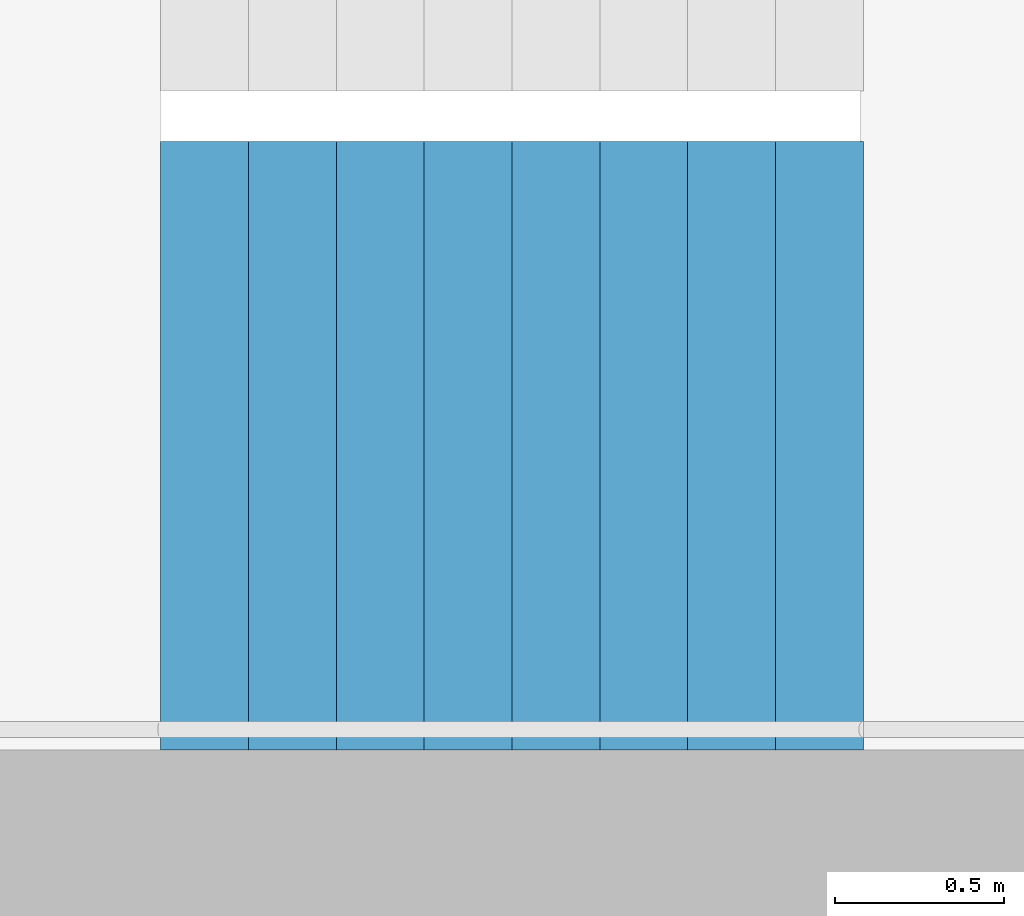
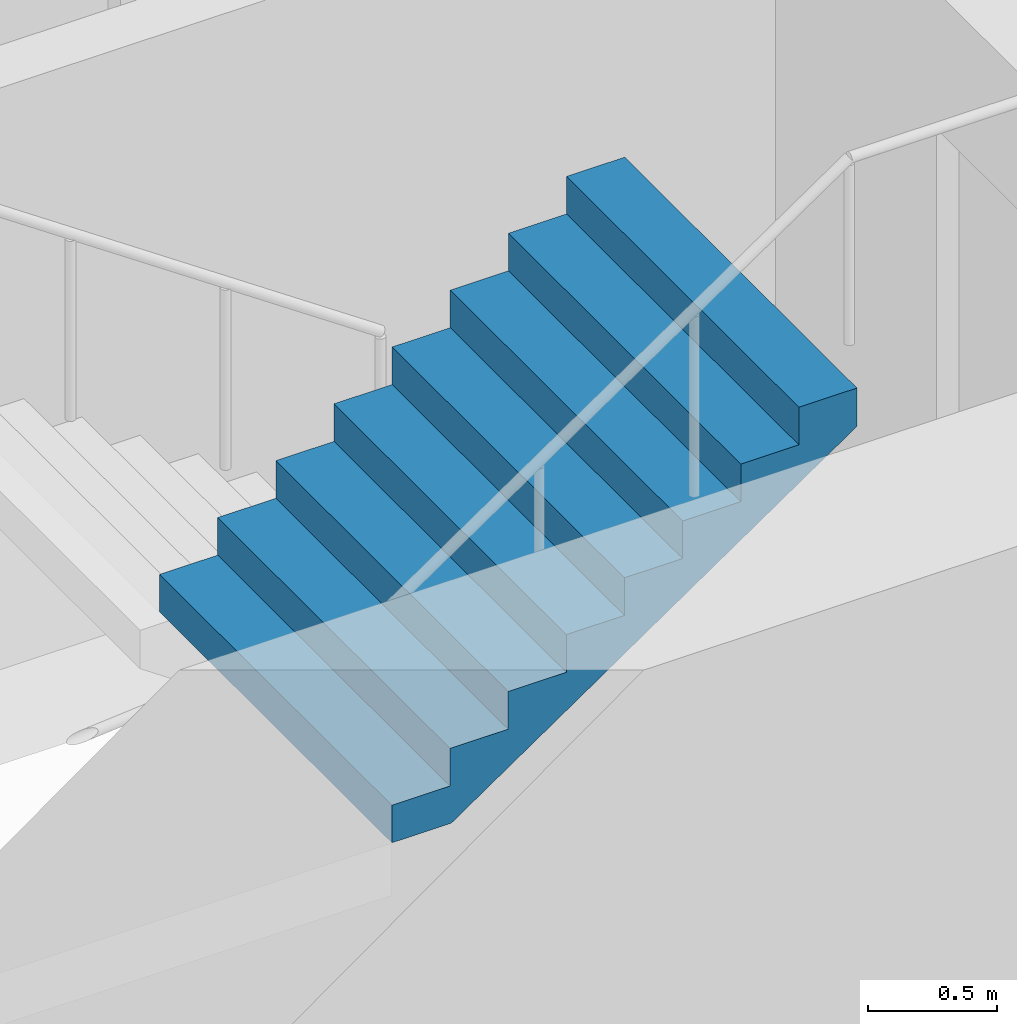
# One storey, part 19 of 27: 1 stair flight, 1 element without a shape of its own.
"""IFC4 building model written with IfcOpenShell, lengths in metres."""

from ifc_helpers import new_model, si_unit, direction, frame, origin, place, context, subcontext, project, spatial, triangles, material, type_object, element, aggregate, save


model = new_model("IFC4")

# Units and contexts
model_context = context("Model", 3, precision=1e-05, world=origin(), true_north=direction((0.0, 1.0)))
body_context = subcontext(model_context, "Body", "Model", "MODEL_VIEW")
ifc_project = project(units=[si_unit("LENGTHUNIT", "METRE"), si_unit("AREAUNIT", "SQUARE_METRE"), si_unit("VOLUMEUNIT", "CUBIC_METRE"), si_unit("PLANEANGLEUNIT", "RADIAN"), si_unit("MASSUNIT", "GRAM", prefix="KILO")], contexts=[model_context])

# Site, building, storey
site_placement = place(None, origin())
site = spatial("IfcSite", under=ifc_project, at=site_placement, CompositionType="ELEMENT")
building_placement = place(site_placement, origin())
building = spatial("IfcBuilding", under=site, at=building_placement, Name="Hakoniwa Tower and Hamabe Station Hall", CompositionType="ELEMENT")
storey_placement = place(building_placement, frame((0.0, 0.0, 248.60009765625)))
storey = spatial("IfcBuildingStorey", under=building, at=storey_placement, Name="L70", CompositionType="ELEMENT", Elevation=248.60009765625)

# Stair, stair flight
ifc_material_1 = material(Name="Concrete C40", Category="concrete")
stair_type = type_object("IfcStairType", Name="ESCAPE STAIR 1800", PredefinedType="HALF_TURN_STAIR", material=ifc_material_1)
stair_placement = place(storey_placement, origin())
stair = element("IfcStair", 1, at=stair_placement, inside=storey, type_object=stair_type, Name="Escape stair ST-2 L70", PredefinedType="HALF_TURN_STAIR")
ifc_material_2 = material(Name="Concrete C40", Category="concrete")
stair_flight_type = type_object("IfcStairFlightType", Name="STAIR FLIGHT 1800", PredefinedType="STRAIGHT", material=ifc_material_2)
stair_flight_placement = place(storey_placement, frame((-25.47998046875, -6.60009765625, 1.599853515625), z_axis=(0.0, 0.0, 1.0), x_axis=(1.0, 0.0, 0.0)))
stair_flight = element("IfcStairFlight", 2, at=stair_flight_placement, type_object=stair_flight_type, Name="ST-2 flight 2", NumberOfRisers=9, NumberOfTreads=8, PredefinedType="STRAIGHT", RiserHeight=0.177777778, TreadLength=0.26, context=body_context, shape_type="Tessellation", body=[
    triangles([(0.0, 0.89990234375, 0.0), (0.260009765625, 0.89990234375, 0.0), (0.265625, 0.89990234375, 0.0), (0.52001953125, 0.89990234375, 0.174072265625), (0.780029296875, 0.89990234375, 0.351806640625), (1.0400390625, 0.89990234375, 0.529541015625), (1.300048828125, 0.89990234375, 0.707275390625), (1.56005859375, 0.89990234375, 0.885009765625), (1.820068359375, 0.89990234375, 1.062744140625), (2.080078125, 0.89990234375, 1.24072265625), (2.080078125, 0.89990234375, 1.422119140625), (1.820068359375, 0.89990234375, 1.422119140625), (1.820068359375, 0.89990234375, 1.244384765625), (1.56005859375, 0.89990234375, 1.244384765625), (1.56005859375, 0.89990234375, 1.066650390625), (1.300048828125, 0.89990234375, 1.066650390625), (1.300048828125, 0.89990234375, 0.888916015625), (1.0400390625, 0.89990234375, 0.888916015625), (1.0400390625, 0.89990234375, 0.711181640625), (0.780029296875, 0.89990234375, 0.711181640625), (0.780029296875, 0.89990234375, 0.533447265625), (0.52001953125, 0.89990234375, 0.533447265625), (0.52001953125, 0.89990234375, 0.35546875), (0.265625, 0.89990234375, 0.35546875), (0.260009765625, 0.89990234375, 0.35546875), (0.260009765625, 0.89990234375, 0.177734375), (0.0, 0.89990234375, 0.177734375), (0.0, 0.06005859375, 0.0), (0.260009765625, 0.06005859375, 0.0), (0.265625, 0.06005859375, 0.0), (0.52001953125, 0.06005859375, 0.174072265625), (0.780029296875, 0.06005859375, 0.351806640625), (1.0400390625, 0.06005859375, 0.529541015625), (1.300048828125, 0.06005859375, 0.707275390625), (1.56005859375, 0.06005859375, 0.885009765625), (1.820068359375, 0.06005859375, 1.062744140625), (2.080078125, 0.06005859375, 1.24072265625), (2.080078125, 0.06005859375, 1.422119140625), (1.820068359375, 0.06005859375, 1.422119140625), (1.820068359375, 0.06005859375, 1.244384765625), (1.56005859375, 0.06005859375, 1.244384765625), (1.56005859375, 0.06005859375, 1.066650390625), (1.300048828125, 0.06005859375, 1.066650390625), (1.300048828125, 0.06005859375, 0.888916015625), (1.0400390625, 0.06005859375, 0.888916015625), (1.0400390625, 0.06005859375, 0.711181640625), (0.780029296875, 0.06005859375, 0.711181640625), (0.780029296875, 0.06005859375, 0.533447265625), (0.52001953125, 0.06005859375, 0.533447265625), (0.52001953125, 0.06005859375, 0.35546875), (0.265625, 0.06005859375, 0.35546875), (0.260009765625, 0.06005859375, 0.35546875), (0.260009765625, 0.06005859375, 0.177734375), (0.0, 0.06005859375, 0.177734375), (0.0, 0.04296875, 0.0), (0.260009765625, 0.04296875, 0.0), (0.265625, 0.04296875, 0.0), (0.52001953125, 0.04296875, 0.174072265625), (0.780029296875, 0.04296875, 0.351806640625), (1.0400390625, 0.04296875, 0.529541015625), (1.300048828125, 0.04296875, 0.707275390625), (1.56005859375, 0.04296875, 0.885009765625), (1.820068359375, 0.04296875, 1.062744140625), (2.080078125, 0.04296875, 1.24072265625), (2.080078125, 0.04296875, 1.422119140625), (1.820068359375, 0.04296875, 1.422119140625), (1.820068359375, 0.04296875, 1.244384765625), (1.56005859375, 0.04296875, 1.244384765625), (1.56005859375, 0.04296875, 1.066650390625), (1.300048828125, 0.04296875, 1.066650390625), (1.300048828125, 0.04296875, 0.888916015625), (1.0400390625, 0.04296875, 0.888916015625), (1.0400390625, 0.04296875, 0.711181640625), (0.780029296875, 0.04296875, 0.711181640625), (0.780029296875, 0.04296875, 0.533447265625), (0.52001953125, 0.04296875, 0.533447265625), (0.52001953125, 0.04296875, 0.35546875), (0.265625, 0.04296875, 0.35546875), (0.260009765625, 0.04296875, 0.35546875), (0.260009765625, 0.04296875, 0.177734375), (0.0, 0.04296875, 0.177734375), (0.0, 0.025634765625, 0.0), (0.260009765625, 0.025634765625, 0.0), (0.265625, 0.025634765625, 0.0), (0.52001953125, 0.025634765625, 0.174072265625), (0.780029296875, 0.025634765625, 0.351806640625), (1.0400390625, 0.025634765625, 0.529541015625), (1.300048828125, 0.025634765625, 0.707275390625), (1.56005859375, 0.025634765625, 0.885009765625), (1.820068359375, 0.025634765625, 1.062744140625), (2.080078125, 0.025634765625, 1.24072265625), (2.080078125, 0.025634765625, 1.422119140625), (1.820068359375, 0.025634765625, 1.422119140625), (1.820068359375, 0.025634765625, 1.244384765625), (1.56005859375, 0.025634765625, 1.244384765625), (1.56005859375, 0.025634765625, 1.066650390625), (1.300048828125, 0.025634765625, 1.066650390625), (1.300048828125, 0.025634765625, 0.888916015625), (1.0400390625, 0.025634765625, 0.888916015625), (1.0400390625, 0.025634765625, 0.711181640625), (0.780029296875, 0.025634765625, 0.711181640625), (0.780029296875, 0.025634765625, 0.533447265625), (0.52001953125, 0.025634765625, 0.533447265625), (0.52001953125, 0.025634765625, 0.35546875), (0.265625, 0.025634765625, 0.35546875), (0.260009765625, 0.025634765625, 0.35546875), (0.260009765625, 0.025634765625, 0.177734375), (0.0, 0.025634765625, 0.177734375), (0.0, 0.008544921875, 0.0), (0.260009765625, 0.008544921875, 0.0), (0.265625, 0.008544921875, 0.0), (0.52001953125, 0.008544921875, 0.174072265625), (0.780029296875, 0.008544921875, 0.351806640625), (1.0400390625, 0.008544921875, 0.529541015625), (1.300048828125, 0.008544921875, 0.707275390625), (1.56005859375, 0.008544921875, 0.885009765625), (1.820068359375, 0.008544921875, 1.062744140625), (2.080078125, 0.008544921875, 1.24072265625), (2.080078125, 0.008544921875, 1.422119140625), (1.820068359375, 0.008544921875, 1.422119140625), (1.820068359375, 0.008544921875, 1.244384765625), (1.56005859375, 0.008544921875, 1.244384765625), (1.56005859375, 0.008544921875, 1.066650390625), (1.300048828125, 0.008544921875, 1.066650390625), (1.300048828125, 0.008544921875, 0.888916015625), (1.0400390625, 0.008544921875, 0.888916015625), (1.0400390625, 0.008544921875, 0.711181640625), (0.780029296875, 0.008544921875, 0.711181640625), (0.780029296875, 0.008544921875, 0.533447265625), (0.52001953125, 0.008544921875, 0.533447265625), (0.52001953125, 0.008544921875, 0.35546875), (0.265625, 0.008544921875, 0.35546875), (0.260009765625, 0.008544921875, 0.35546875), (0.260009765625, 0.008544921875, 0.177734375), (0.0, 0.008544921875, 0.177734375), (0.0, -0.008544921875, 0.0), (0.260009765625, -0.008544921875, 0.0), (0.265625, -0.008544921875, 0.0), (0.52001953125, -0.008544921875, 0.174072265625), (0.780029296875, -0.008544921875, 0.351806640625), (1.0400390625, -0.008544921875, 0.529541015625), (1.300048828125, -0.008544921875, 0.707275390625), (1.56005859375, -0.008544921875, 0.885009765625), (1.820068359375, -0.008544921875, 1.062744140625), (2.080078125, -0.008544921875, 1.24072265625), (2.080078125, -0.008544921875, 1.422119140625), (1.820068359375, -0.008544921875, 1.422119140625), (1.820068359375, -0.008544921875, 1.244384765625), (1.56005859375, -0.008544921875, 1.244384765625), (1.56005859375, -0.008544921875, 1.066650390625), (1.300048828125, -0.008544921875, 1.066650390625), (1.300048828125, -0.008544921875, 0.888916015625), (1.0400390625, -0.008544921875, 0.888916015625), (1.0400390625, -0.008544921875, 0.711181640625), (0.780029296875, -0.008544921875, 0.711181640625), (0.780029296875, -0.008544921875, 0.533447265625), (0.52001953125, -0.008544921875, 0.533447265625), (0.52001953125, -0.008544921875, 0.35546875), (0.265625, -0.008544921875, 0.35546875), (0.260009765625, -0.008544921875, 0.35546875), (0.260009765625, -0.008544921875, 0.177734375), (0.0, -0.008544921875, 0.177734375), (0.0, -0.025634765625, 0.0), (0.260009765625, -0.025634765625, 0.0), (0.265625, -0.025634765625, 0.0), (0.52001953125, -0.025634765625, 0.174072265625), (0.780029296875, -0.025634765625, 0.351806640625), (1.0400390625, -0.025634765625, 0.529541015625), (1.300048828125, -0.025634765625, 0.707275390625), (1.56005859375, -0.025634765625, 0.885009765625), (1.820068359375, -0.025634765625, 1.062744140625), (2.080078125, -0.025634765625, 1.24072265625), (2.080078125, -0.025634765625, 1.422119140625), (1.820068359375, -0.025634765625, 1.422119140625), (1.820068359375, -0.025634765625, 1.244384765625), (1.56005859375, -0.025634765625, 1.244384765625), (1.56005859375, -0.025634765625, 1.066650390625), (1.300048828125, -0.025634765625, 1.066650390625), (1.300048828125, -0.025634765625, 0.888916015625), (1.0400390625, -0.025634765625, 0.888916015625), (1.0400390625, -0.025634765625, 0.711181640625), (0.780029296875, -0.025634765625, 0.711181640625), (0.780029296875, -0.025634765625, 0.533447265625), (0.52001953125, -0.025634765625, 0.533447265625), (0.52001953125, -0.025634765625, 0.35546875), (0.265625, -0.025634765625, 0.35546875), (0.260009765625, -0.025634765625, 0.35546875), (0.260009765625, -0.025634765625, 0.177734375), (0.0, -0.025634765625, 0.177734375), (0.0, -0.04296875, 0.0), (0.260009765625, -0.04296875, 0.0), (0.265625, -0.04296875, 0.0), (0.52001953125, -0.04296875, 0.174072265625), (0.780029296875, -0.04296875, 0.351806640625), (1.0400390625, -0.04296875, 0.529541015625), (1.300048828125, -0.04296875, 0.707275390625), (1.56005859375, -0.04296875, 0.885009765625), (1.820068359375, -0.04296875, 1.062744140625), (2.080078125, -0.04296875, 1.24072265625), (2.080078125, -0.04296875, 1.422119140625), (1.820068359375, -0.04296875, 1.422119140625), (1.820068359375, -0.04296875, 1.244384765625), (1.56005859375, -0.04296875, 1.244384765625), (1.56005859375, -0.04296875, 1.066650390625), (1.300048828125, -0.04296875, 1.066650390625), (1.300048828125, -0.04296875, 0.888916015625), (1.0400390625, -0.04296875, 0.888916015625), (1.0400390625, -0.04296875, 0.711181640625), (0.780029296875, -0.04296875, 0.711181640625), (0.780029296875, -0.04296875, 0.533447265625), (0.52001953125, -0.04296875, 0.533447265625), (0.52001953125, -0.04296875, 0.35546875), (0.265625, -0.04296875, 0.35546875), (0.260009765625, -0.04296875, 0.35546875), (0.260009765625, -0.04296875, 0.177734375), (0.0, -0.04296875, 0.177734375), (0.0, -0.06005859375, 0.0), (0.260009765625, -0.06005859375, 0.0), (0.265625, -0.06005859375, 0.0), (0.52001953125, -0.06005859375, 0.174072265625), (0.780029296875, -0.06005859375, 0.351806640625), (1.0400390625, -0.06005859375, 0.529541015625), (1.300048828125, -0.06005859375, 0.707275390625), (1.56005859375, -0.06005859375, 0.885009765625), (1.820068359375, -0.06005859375, 1.062744140625), (2.080078125, -0.06005859375, 1.24072265625), (2.080078125, -0.06005859375, 1.422119140625), (1.820068359375, -0.06005859375, 1.422119140625), (1.820068359375, -0.06005859375, 1.244384765625), (1.56005859375, -0.06005859375, 1.244384765625), (1.56005859375, -0.06005859375, 1.066650390625), (1.300048828125, -0.06005859375, 1.066650390625), (1.300048828125, -0.06005859375, 0.888916015625), (1.0400390625, -0.06005859375, 0.888916015625), (1.0400390625, -0.06005859375, 0.711181640625), (0.780029296875, -0.06005859375, 0.711181640625), (0.780029296875, -0.06005859375, 0.533447265625), (0.52001953125, -0.06005859375, 0.533447265625), (0.52001953125, -0.06005859375, 0.35546875), (0.265625, -0.06005859375, 0.35546875), (0.260009765625, -0.06005859375, 0.35546875), (0.260009765625, -0.06005859375, 0.177734375), (0.0, -0.06005859375, 0.177734375), (0.0, -0.89990234375, 0.0), (0.260009765625, -0.89990234375, 0.0), (0.265625, -0.89990234375, 0.0), (0.52001953125, -0.89990234375, 0.174072265625), (0.780029296875, -0.89990234375, 0.351806640625), (1.0400390625, -0.89990234375, 0.529541015625), (1.300048828125, -0.89990234375, 0.707275390625), (1.56005859375, -0.89990234375, 0.885009765625), (1.820068359375, -0.89990234375, 1.062744140625), (2.080078125, -0.89990234375, 1.24072265625), (2.080078125, -0.89990234375, 1.422119140625), (1.820068359375, -0.89990234375, 1.422119140625), (1.820068359375, -0.89990234375, 1.244384765625), (1.56005859375, -0.89990234375, 1.244384765625), (1.56005859375, -0.89990234375, 1.066650390625), (1.300048828125, -0.89990234375, 1.066650390625), (1.300048828125, -0.89990234375, 0.888916015625), (1.0400390625, -0.89990234375, 0.888916015625), (1.0400390625, -0.89990234375, 0.711181640625), (0.780029296875, -0.89990234375, 0.711181640625), (0.780029296875, -0.89990234375, 0.533447265625), (0.52001953125, -0.89990234375, 0.533447265625), (0.52001953125, -0.89990234375, 0.35546875), (0.265625, -0.89990234375, 0.35546875), (0.260009765625, -0.89990234375, 0.35546875), (0.260009765625, -0.89990234375, 0.177734375), (0.0, -0.89990234375, 0.177734375)], [[2, 27, 26], [245, 269, 270], [2, 1, 27], [245, 270, 244], [3, 25, 24], [246, 267, 268], [3, 26, 25], [246, 268, 269], [3, 2, 26], [246, 269, 245], [4, 24, 23], [247, 266, 267], [4, 3, 24], [247, 267, 246], [5, 22, 21], [248, 264, 265], [5, 23, 22], [248, 265, 266], [5, 4, 23], [248, 266, 247], [6, 20, 19], [249, 262, 263], [6, 21, 20], [249, 263, 264], [6, 5, 21], [249, 264, 248], [7, 18, 17], [250, 260, 261], [7, 19, 18], [250, 261, 262], [7, 6, 19], [250, 262, 249], [8, 16, 15], [251, 258, 259], [8, 17, 16], [251, 259, 260], [8, 7, 17], [251, 260, 250], [9, 14, 13], [252, 256, 257], [9, 15, 14], [252, 257, 258], [9, 8, 15], [252, 258, 251], [10, 12, 11], [253, 254, 255], [10, 13, 12], [253, 255, 256], [10, 9, 13], [253, 256, 252], [1, 2, 29], [1, 29, 28], [28, 29, 56], [28, 56, 55], [55, 56, 83], [55, 83, 82], [82, 83, 110], [82, 110, 109], [109, 110, 137], [109, 137, 136], [136, 137, 164], [136, 164, 163], [163, 164, 191], [163, 191, 190], [190, 191, 218], [190, 218, 217], [217, 218, 245], [217, 245, 244], [2, 3, 30], [2, 30, 29], [29, 30, 57], [29, 57, 56], [56, 57, 84], [56, 84, 83], [83, 84, 111], [83, 111, 110], [110, 111, 138], [110, 138, 137], [137, 138, 165], [137, 165, 164], [164, 165, 192], [164, 192, 191], [191, 192, 219], [191, 219, 218], [218, 219, 246], [218, 246, 245], [3, 4, 31], [3, 31, 30], [30, 31, 58], [30, 58, 57], [57, 58, 85], [57, 85, 84], [84, 85, 112], [84, 112, 111], [111, 112, 139], [111, 139, 138], [138, 139, 166], [138, 166, 165], [165, 166, 193], [165, 193, 192], [192, 193, 220], [192, 220, 219], [219, 220, 247], [219, 247, 246], [4, 5, 32], [4, 32, 31], [31, 32, 59], [31, 59, 58], [58, 59, 86], [58, 86, 85], [85, 86, 113], [85, 113, 112], [112, 113, 140], [112, 140, 139], [139, 140, 167], [139, 167, 166], [166, 167, 194], [166, 194, 193], [193, 194, 221], [193, 221, 220], [220, 221, 248], [220, 248, 247], [5, 6, 33], [5, 33, 32], [32, 33, 60], [32, 60, 59], [59, 60, 87], [59, 87, 86], [86, 87, 114], [86, 114, 113], [113, 114, 141], [113, 141, 140], [140, 141, 168], [140, 168, 167], [167, 168, 195], [167, 195, 194], [194, 195, 222], [194, 222, 221], [221, 222, 249], [221, 249, 248], [6, 7, 34], [6, 34, 33], [33, 34, 61], [33, 61, 60], [60, 61, 88], [60, 88, 87], [87, 88, 115], [87, 115, 114], [114, 115, 142], [114, 142, 141], [141, 142, 169], [141, 169, 168], [168, 169, 196], [168, 196, 195], [195, 196, 223], [195, 223, 222], [222, 223, 250], [222, 250, 249], [7, 8, 35], [7, 35, 34], [34, 35, 62], [34, 62, 61], [61, 62, 89], [61, 89, 88], [88, 89, 116], [88, 116, 115], [115, 116, 143], [115, 143, 142], [142, 143, 170], [142, 170, 169], [169, 170, 197], [169, 197, 196], [196, 197, 224], [196, 224, 223], [223, 224, 251], [223, 251, 250], [8, 9, 36], [8, 36, 35], [35, 36, 63], [35, 63, 62], [62, 63, 90], [62, 90, 89], [89, 90, 117], [89, 117, 116], [116, 117, 144], [116, 144, 143], [143, 144, 171], [143, 171, 170], [170, 171, 198], [170, 198, 197], [197, 198, 225], [197, 225, 224], [224, 225, 252], [224, 252, 251], [9, 10, 37], [9, 37, 36], [36, 37, 64], [36, 64, 63], [63, 64, 91], [63, 91, 90], [90, 91, 118], [90, 118, 117], [117, 118, 145], [117, 145, 144], [144, 145, 172], [144, 172, 171], [171, 172, 199], [171, 199, 198], [198, 199, 226], [198, 226, 225], [225, 226, 253], [225, 253, 252], [10, 11, 38], [10, 38, 37], [37, 38, 65], [37, 65, 64], [64, 65, 92], [64, 92, 91], [91, 92, 119], [91, 119, 118], [118, 119, 146], [118, 146, 145], [145, 146, 173], [145, 173, 172], [172, 173, 200], [172, 200, 199], [199, 200, 227], [199, 227, 226], [226, 227, 254], [226, 254, 253], [11, 12, 39], [11, 39, 38], [38, 39, 66], [38, 66, 65], [65, 66, 93], [65, 93, 92], [92, 93, 120], [92, 120, 119], [119, 120, 147], [119, 147, 146], [146, 147, 174], [146, 174, 173], [173, 174, 201], [173, 201, 200], [200, 201, 228], [200, 228, 227], [227, 228, 255], [227, 255, 254], [12, 13, 40], [12, 40, 39], [39, 40, 67], [39, 67, 66], [66, 67, 94], [66, 94, 93], [93, 94, 121], [93, 121, 120], [120, 121, 148], [120, 148, 147], [147, 148, 175], [147, 175, 174], [174, 175, 202], [174, 202, 201], [201, 202, 229], [201, 229, 228], [228, 229, 256], [228, 256, 255], [13, 14, 41], [13, 41, 40], [40, 41, 68], [40, 68, 67], [67, 68, 95], [67, 95, 94], [94, 95, 122], [94, 122, 121], [121, 122, 149], [121, 149, 148], [148, 149, 176], [148, 176, 175], [175, 176, 203], [175, 203, 202], [202, 203, 230], [202, 230, 229], [229, 230, 257], [229, 257, 256], [14, 15, 42], [14, 42, 41], [41, 42, 69], [41, 69, 68], [68, 69, 96], [68, 96, 95], [95, 96, 123], [95, 123, 122], [122, 123, 150], [122, 150, 149], [149, 150, 177], [149, 177, 176], [176, 177, 204], [176, 204, 203], [203, 204, 231], [203, 231, 230], [230, 231, 258], [230, 258, 257], [15, 16, 43], [15, 43, 42], [42, 43, 70], [42, 70, 69], [69, 70, 97], [69, 97, 96], [96, 97, 124], [96, 124, 123], [123, 124, 151], [123, 151, 150], [150, 151, 178], [150, 178, 177], [177, 178, 205], [177, 205, 204], [204, 205, 232], [204, 232, 231], [231, 232, 259], [231, 259, 258], [16, 17, 44], [16, 44, 43], [43, 44, 71], [43, 71, 70], [70, 71, 98], [70, 98, 97], [97, 98, 125], [97, 125, 124], [124, 125, 152], [124, 152, 151], [151, 152, 179], [151, 179, 178], [178, 179, 206], [178, 206, 205], [205, 206, 233], [205, 233, 232], [232, 233, 260], [232, 260, 259], [17, 18, 45], [17, 45, 44], [44, 45, 72], [44, 72, 71], [71, 72, 99], [71, 99, 98], [98, 99, 126], [98, 126, 125], [125, 126, 153], [125, 153, 152], [152, 153, 180], [152, 180, 179], [179, 180, 207], [179, 207, 206], [206, 207, 234], [206, 234, 233], [233, 234, 261], [233, 261, 260], [18, 19, 46], [18, 46, 45], [45, 46, 73], [45, 73, 72], [72, 73, 100], [72, 100, 99], [99, 100, 127], [99, 127, 126], [126, 127, 154], [126, 154, 153], [153, 154, 181], [153, 181, 180], [180, 181, 208], [180, 208, 207], [207, 208, 235], [207, 235, 234], [234, 235, 262], [234, 262, 261], [19, 20, 47], [19, 47, 46], [46, 47, 74], [46, 74, 73], [73, 74, 101], [73, 101, 100], [100, 101, 128], [100, 128, 127], [127, 128, 155], [127, 155, 154], [154, 155, 182], [154, 182, 181], [181, 182, 209], [181, 209, 208], [208, 209, 236], [208, 236, 235], [235, 236, 263], [235, 263, 262], [20, 21, 48], [20, 48, 47], [47, 48, 75], [47, 75, 74], [74, 75, 102], [74, 102, 101], [101, 102, 129], [101, 129, 128], [128, 129, 156], [128, 156, 155], [155, 156, 183], [155, 183, 182], [182, 183, 210], [182, 210, 209], [209, 210, 237], [209, 237, 236], [236, 237, 264], [236, 264, 263], [21, 22, 49], [21, 49, 48], [48, 49, 76], [48, 76, 75], [75, 76, 103], [75, 103, 102], [102, 103, 130], [102, 130, 129], [129, 130, 157], [129, 157, 156], [156, 157, 184], [156, 184, 183], [183, 184, 211], [183, 211, 210], [210, 211, 238], [210, 238, 237], [237, 238, 265], [237, 265, 264], [22, 23, 50], [22, 50, 49], [49, 50, 77], [49, 77, 76], [76, 77, 104], [76, 104, 103], [103, 104, 131], [103, 131, 130], [130, 131, 158], [130, 158, 157], [157, 158, 185], [157, 185, 184], [184, 185, 212], [184, 212, 211], [211, 212, 239], [211, 239, 238], [238, 239, 266], [238, 266, 265], [23, 24, 51], [23, 51, 50], [50, 51, 78], [50, 78, 77], [77, 78, 105], [77, 105, 104], [104, 105, 132], [104, 132, 131], [131, 132, 159], [131, 159, 158], [158, 159, 186], [158, 186, 185], [185, 186, 213], [185, 213, 212], [212, 213, 240], [212, 240, 239], [239, 240, 267], [239, 267, 266], [24, 25, 52], [24, 52, 51], [51, 52, 79], [51, 79, 78], [78, 79, 106], [78, 106, 105], [105, 106, 133], [105, 133, 132], [132, 133, 160], [132, 160, 159], [159, 160, 187], [159, 187, 186], [186, 187, 214], [186, 214, 213], [213, 214, 241], [213, 241, 240], [240, 241, 268], [240, 268, 267], [25, 26, 53], [25, 53, 52], [52, 53, 80], [52, 80, 79], [79, 80, 107], [79, 107, 106], [106, 107, 134], [106, 134, 133], [133, 134, 161], [133, 161, 160], [160, 161, 188], [160, 188, 187], [187, 188, 215], [187, 215, 214], [214, 215, 242], [214, 242, 241], [241, 242, 269], [241, 269, 268], [26, 27, 54], [26, 54, 53], [53, 54, 81], [53, 81, 80], [80, 81, 108], [80, 108, 107], [107, 108, 135], [107, 135, 134], [134, 135, 162], [134, 162, 161], [161, 162, 189], [161, 189, 188], [188, 189, 216], [188, 216, 215], [215, 216, 243], [215, 243, 242], [242, 243, 270], [242, 270, 269], [27, 1, 28], [27, 28, 54], [54, 28, 55], [54, 55, 81], [81, 55, 82], [81, 82, 108], [108, 82, 109], [108, 109, 135], [135, 109, 136], [135, 136, 162], [162, 136, 163], [162, 163, 189], [189, 163, 190], [189, 190, 216], [216, 190, 217], [216, 217, 243], [243, 217, 244], [243, 244, 270]], closed=True),
])
aggregate(stair, [stair_flight])

save(model, "model.ifc")
